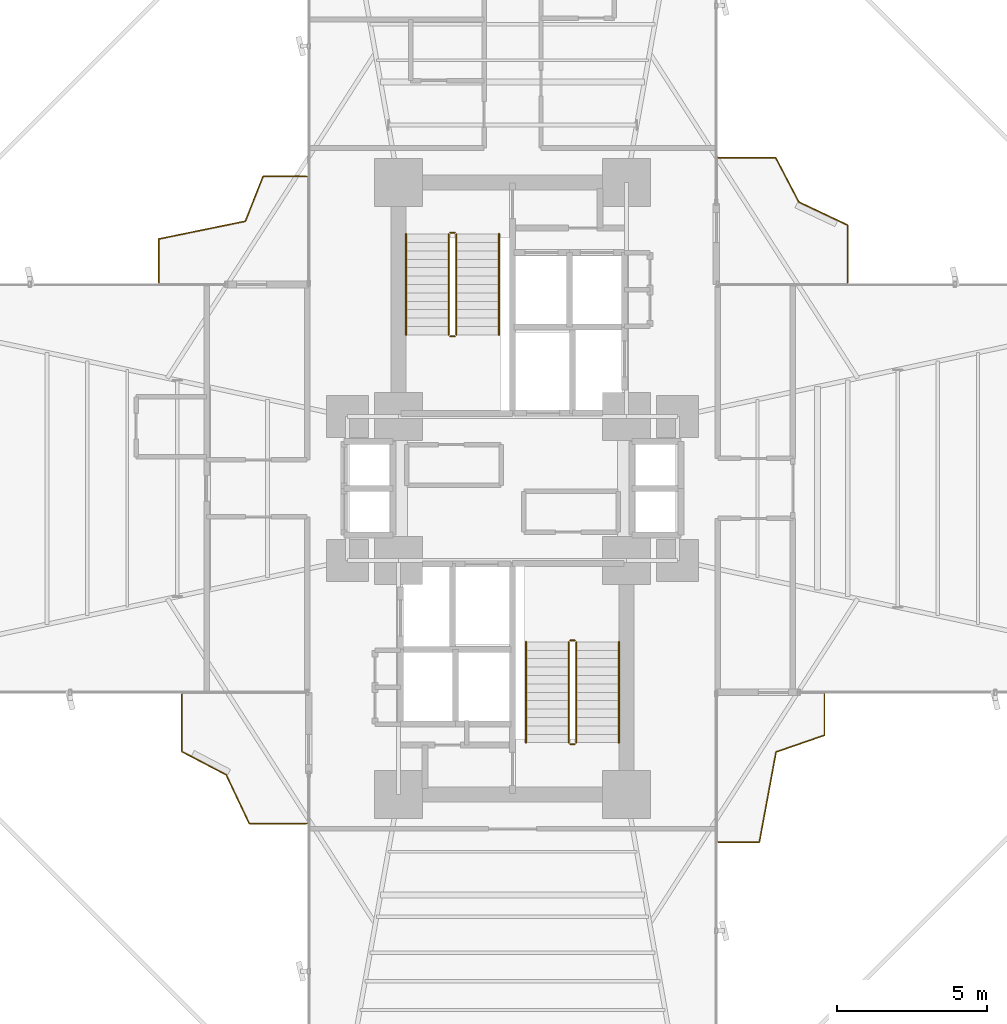
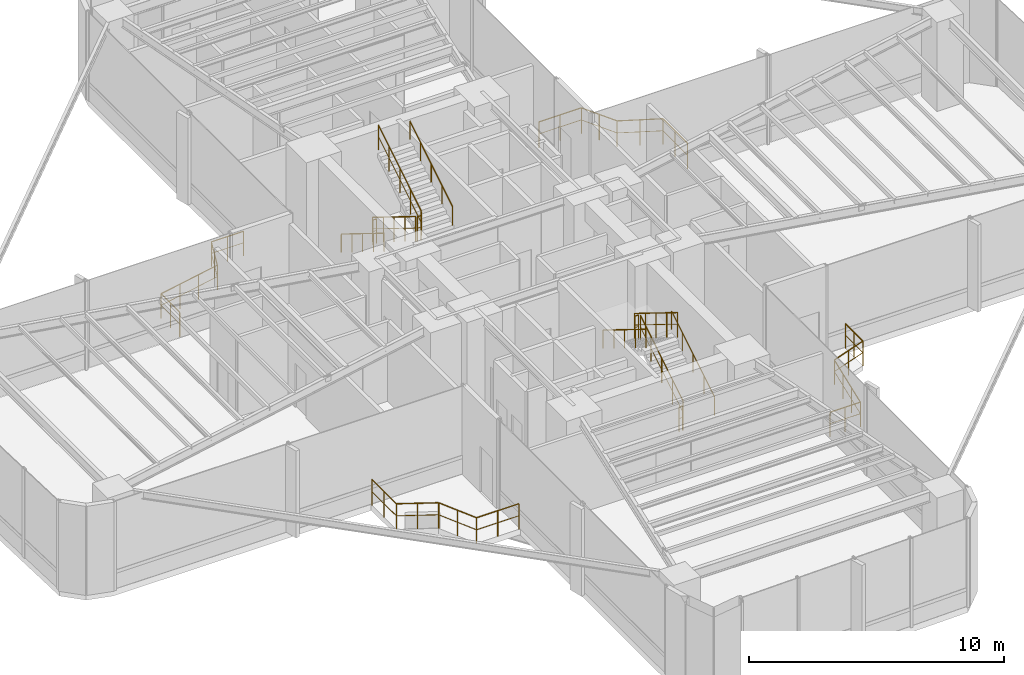
# One storey, part 20 of 20: 16 railings.
"""IFC4 building model written with IfcOpenShell, lengths in metres."""

import ifcopenshell
import ifcopenshell.guid

model = None  # the IFC model being written
_history = None  # IfcOwnerHistory: only IFC2X3 demands one
_inside = {}  # id of a spatial element -> (the spatial element, [elements in it])
_under = {}  # id of a project, library or spatial element -> (it, [spatial elements below it])
_declared = {}  # id of a project -> (the project, [libraries it declares])
_typed = {}  # id of a type object -> (the type object, [elements of that type])
_made_of = {}  # id of a material, layer set ... -> (it, [elements and type objects made of it])


def new_model(schema):
    """Start an empty IFC model of exactly this schema.

    Asked for "IFC4X3", IfcOpenShell would pick the latest addendum, in which some entities
    have other attributes; the version numbers below select the first issue.
    IFC2X3 requires an IfcOwnerHistory on every rooted entity: one is made here for all.
    """
    global model, _history
    if schema == "IFC4X3":
        model = ifcopenshell.file(schema_version=(4, 3, 0, 0))
    else:
        model = ifcopenshell.file(schema=schema)
    _inside.clear()
    _under.clear()
    _declared.clear()
    _typed.clear()
    _made_of.clear()
    _history = None
    if model.schema == "IFC2X3":
        org = make("IfcOrganization", Name="unknown")
        user = make(
            "IfcPersonAndOrganization",
            ThePerson=make("IfcPerson", FamilyName="unknown"),
            TheOrganization=org,
        )
        app = make(
            "IfcApplication",
            ApplicationDeveloper=org,
            Version="unknown",
            ApplicationFullName="unknown",
            ApplicationIdentifier="unknown",
        )
        _history = make(
            "IfcOwnerHistory",
            OwningUser=user,
            OwningApplication=app,
            ChangeAction="ADDED",
            CreationDate=0,
        )
    return model


def make(cls, **values):
    """One entity of the class cls with the attributes given. An attribute that is None is left unset."""
    return model.create_entity(
        cls, **{name: value for name, value in values.items() if value is not None}
    )


def rooted(cls, **values):
    """An entity with a GlobalId (a new one), such as an element, a storey or a relation."""
    return make(cls, GlobalId=ifcopenshell.guid.new(), OwnerHistory=_history, **values)


def si_unit(unit_type, name, prefix=None):
    """IfcSIUnit, for example si_unit("LENGTHUNIT", "METRE", prefix="MILLI")."""
    return make("IfcSIUnit", UnitType=unit_type, Prefix=prefix, Name=name)


def assignment(units):
    """IfcUnitAssignment: the units of a project."""
    return None if units is None else make("IfcUnitAssignment", Units=units)


def point(xyz):
    """IfcCartesianPoint."""
    return None if xyz is None else make("IfcCartesianPoint", Coordinates=xyz)


def direction(xyz):
    """IfcDirection."""
    return None if xyz is None else make("IfcDirection", DirectionRatios=xyz)


def frame(location, z_axis=None, x_axis=None):
    """IfcAxis2Placement3D, a coordinate frame: its origin and axes. An axis left out is left unset."""
    return make(
        "IfcAxis2Placement3D",
        Location=point(location),
        Axis=direction(z_axis),
        RefDirection=direction(x_axis),
    )


def frame_2d(location, x_axis=None):
    """IfcAxis2Placement2D, a coordinate frame in the plane: its origin and x axis."""
    return make(
        "IfcAxis2Placement2D", Location=point(location), RefDirection=direction(x_axis)
    )


def origin():
    """The frame at (0, 0, 0) with its axes left unset."""
    return frame((0.0, 0.0, 0.0))


def origin_2d():
    """The frame at (0, 0) in the plane with its x axis left unset."""
    return frame_2d((0.0, 0.0))


def place(relative_to, where):
    """IfcLocalPlacement: puts the frame where relative to a parent placement (None: the world)."""
    return make(
        "IfcLocalPlacement", PlacementRelTo=relative_to, RelativePlacement=where
    )


def context(
    kind, dimensions, precision=None, world=None, true_north=None, identifier=None
):
    """IfcGeometricRepresentationContext, for example the 3D "Model" context."""
    return make(
        "IfcGeometricRepresentationContext",
        ContextIdentifier=identifier,
        ContextType=kind,
        CoordinateSpaceDimension=dimensions,
        Precision=precision,
        WorldCoordinateSystem=world,
        TrueNorth=true_north,
    )


def subcontext(parent, identifier, kind, view, scale=None):
    """IfcGeometricRepresentationSubContext, for example "Body" below "Model"."""
    return make(
        "IfcGeometricRepresentationSubContext",
        ContextIdentifier=identifier,
        ContextType=kind,
        ParentContext=parent,
        TargetScale=scale,
        TargetView=view,
    )


def project(units=None, contexts=None):
    """IfcProject with its units and contexts."""
    return rooted(
        "IfcProject",
        Name="project",
        RepresentationContexts=contexts,
        UnitsInContext=assignment(units),
    )


def spatial(cls, under=None, at=None, **own):
    """A site, building, storey or space (cls), placed at a placement, below another one or the project."""
    s = rooted(cls, ObjectPlacement=at, **own)
    if under is not None:
        _under.setdefault(under.id(), (under, []))[1].append(s)
    return s


def profile(cls, at=None, kind="AREA", **sizes):
    """A parametric profile (cls). Its sizes go by their IFC names, for example OverallWidth=200.0."""
    return make(cls, ProfileType=kind, Position=at, **sizes)


def circle(**sizes):
    """IfcCircleProfileDef."""
    return profile("IfcCircleProfileDef", **sizes)


def extrude(swept, where, along, depth):
    """IfcExtrudedAreaSolid: the profile swept, set in the frame where, extruded along a direction by depth."""
    return make(
        "IfcExtrudedAreaSolid",
        SweptArea=swept,
        Position=where,
        ExtrudedDirection=direction(along),
        Depth=depth,
    )


def shape(context_of_items, identifier, shape_type, items):
    """IfcShapeRepresentation: the items that make up one representation, for example the "Body"."""
    return make(
        "IfcShapeRepresentation",
        ContextOfItems=context_of_items,
        RepresentationIdentifier=identifier,
        RepresentationType=shape_type,
        Items=items,
    )


def material(Name=None, Category=None):
    """IfcMaterial."""
    return make("IfcMaterial", Name=Name, Category=Category)


def made_of(thing, what):
    """Note that an element or type object is made of a material, layer set ...; save() writes the relation."""
    if what is not None:
        _made_of.setdefault(what.id(), (what, []))[1].append(thing)
    return thing


def type_object(cls, material=None, **own):
    """A type object (cls), such as IfcWallType, which elements share."""
    return made_of(rooted(cls, **own), material)


def element(
    cls,
    number,
    at=None,
    inside=None,
    cuts=None,
    type_object=None,
    material=None,
    context=None,
    identifier="Body",
    shape_type=None,
    held_by="IfcProductDefinitionShape",
    body=None,
    shapes=None,
    **own,
):
    """One element of the class cls, such as IfcWall. Its Tag is "e" and its number.

    at: its placement. inside: the storey or other place that contains it. cuts: it is an
    opening in that element (IfcRelVoidsElement). A single representation is given by context,
    identifier, shape_type and body (its items); several are given by shapes. held_by: the class
    of the entity that holds the representations. save() writes the other relations.
    """
    e = rooted(cls, Tag="e%d" % number, ObjectPlacement=at, **own)
    if body is not None:
        shapes = [shape(context, identifier, shape_type, body)]
    if shapes is not None:
        e.Representation = make(held_by, Representations=shapes)
    if inside is not None:
        _inside.setdefault(inside.id(), (inside, []))[1].append(e)
    if cuts is not None:
        rooted(
            "IfcRelVoidsElement", RelatingBuildingElement=cuts, RelatedOpeningElement=e
        )
    if type_object is not None:
        _typed.setdefault(type_object.id(), (type_object, []))[1].append(e)
    return made_of(e, material)


def aggregate(whole, parts):
    """IfcRelAggregates: a whole, such as a stair, and the parts it consists of."""
    return rooted("IfcRelAggregates", RelatingObject=whole, RelatedObjects=parts)


def save(model, path):
    """Write the relations noted so far, then the file.

    IfcRelAggregates (storeys below a building ...), IfcRelContainedInSpatialStructure (elements
    in a storey), IfcRelDefinesByType, IfcRelAssociatesMaterial and IfcRelDeclares: one each for
    every whole, place, type object, material and project.
    """
    for whole, parts in _under.values():
        aggregate(whole, parts)
    for where, things in _inside.values():
        rooted(
            "IfcRelContainedInSpatialStructure",
            RelatedElements=things,
            RelatingStructure=where,
        )
    for kind, things in _typed.values():
        rooted("IfcRelDefinesByType", RelatedObjects=things, RelatingType=kind)
    for what, things in _made_of.values():
        rooted("IfcRelAssociatesMaterial", RelatedObjects=things, RelatingMaterial=what)
    for by, libraries in _declared.values():
        rooted("IfcRelDeclares", RelatingContext=by, RelatedDefinitions=libraries)
    model.write(path)


model = new_model("IFC4")

# Units and contexts
model_context = context("Model", 3, precision=1e-05, world=origin(), true_north=direction((0.0, 1.0)))
body_context = subcontext(model_context, "Body", "Model", "MODEL_VIEW")
ifc_project = project(units=[si_unit("LENGTHUNIT", "METRE"), si_unit("AREAUNIT", "SQUARE_METRE"), si_unit("VOLUMEUNIT", "CUBIC_METRE"), si_unit("PLANEANGLEUNIT", "RADIAN"), si_unit("MASSUNIT", "GRAM", prefix="KILO")], contexts=[model_context])

# Site, building, storey
site_placement = place(None, origin())
site = spatial("IfcSite", under=ifc_project, at=site_placement, CompositionType="ELEMENT")
building_placement = place(site_placement, origin())
building = spatial("IfcBuilding", under=site, at=building_placement, Name="Sahyath Konkavel Grand Hotel", CompositionType="ELEMENT")
storey_placement = place(building_placement, frame((0.0, 0.0, 46.550048828125)))
storey = spatial("IfcBuildingStorey", under=building, at=storey_placement, Name="L12", CompositionType="ELEMENT", Elevation=46.550048828125)

# Railings
ifc_material_1 = material(Name="Anodised Bronze Aluminium", Category="aluminium")
railing_type_1 = type_object("IfcRailingType", Name="RLG-BALC-1200", PredefinedType="GUARDRAIL", material=ifc_material_1)
railing_1_placement = place(storey_placement, frame((-6.860107421875, 10.404052734375, 0.0)))
element("IfcRailing", 1, at=railing_1_placement, inside=storey, type_object=railing_type_1, Name="L12 Winter-Garden Guard NW", PredefinedType="GUARDRAIL", context=body_context, shape_type="SweptSolid", body=[
    extrude(circle(Radius=0.02392578125, at=origin_2d()), frame((-0.001953125, 0.0, 1.17578125), z_axis=(-1.0, 0.0, 0.0), x_axis=(0.0, -1.0, 0.0)), (0.0, 0.0, 1.0), 1.455078125),
    extrude(circle(Radius=0.01416015625, at=origin_2d()), frame((-0.001953125, 0.0, 0.6240234375), z_axis=(-1.0, 0.0, 0.0), x_axis=(0.0, -1.0, 0.0)), (0.0, 0.0, 1.0), 1.455078125),
    extrude(circle(Radius=0.02392578125, at=origin_2d()), frame((-1.459716796875, -0.001953125, 1.17578125), z_axis=(-0.367720009886, -0.929936553927, 0.0), x_axis=(0.929936553927, -0.367720009886, 0.0)), (0.0, 0.0, 1.0), 1.602783203125),
    extrude(circle(Radius=0.01416015625, at=origin_2d()), frame((-1.459716796875, -0.001953125, 0.6240234375), z_axis=(-0.367720009886, -0.929936553927, 0.0), x_axis=(0.929936553927, -0.367720009886, 0.0)), (0.0, 0.0, 1.0), 1.602783203125),
    extrude(circle(Radius=0.02392578125, at=origin_2d()), frame((-2.0517578125, -1.49462890625, 1.17578125), z_axis=(-0.979681266646, -0.200560753344, 0.0), x_axis=(0.200560753344, -0.979681266646, 0.0)), (0.0, 0.0, 1.0), 2.94189453125),
    extrude(circle(Radius=0.01416015625, at=origin_2d()), frame((-2.0517578125, -1.49462890625, 0.6240234375), z_axis=(-0.979681266646, -0.200560753344, 0.0), x_axis=(0.200560753344, -0.979681266646, 0.0)), (0.0, 0.0, 1.0), 2.94189453125),
    extrude(circle(Radius=0.02392578125, at=origin_2d()), frame((-4.935791015625, -2.0869140625, 1.17578125), z_axis=(0.0, -1.0, 0.0), x_axis=(1.0, 0.0, 0.0)), (0.0, 0.0, 1.0), 1.455078125),
    extrude(circle(Radius=0.01416015625, at=origin_2d()), frame((-4.935791015625, -2.0869140625, 0.6240234375), z_axis=(0.0, -1.0, 0.0), x_axis=(1.0, 0.0, 0.0)), (0.0, 0.0, 1.0), 1.455078125),
    extrude(circle(Radius=0.02099609375, at=origin_2d()), origin(), (0.0, 0.0, 1.0), 1.15185546875),
    extrude(circle(Radius=0.02099609375, at=origin_2d()), frame((-0.7294921875, 0.0, 0.0)), (0.0, 0.0, 1.0), 1.15185546875),
    extrude(circle(Radius=0.02099609375, at=origin_2d()), frame((-1.458984375, 0.0, 0.0)), (0.0, 0.0, 1.0), 1.15185546875),
    extrude(circle(Radius=0.02099609375, at=origin_2d()), frame((-1.75439453125, -0.7470703125, 0.0)), (0.0, 0.0, 1.0), 1.15185546875),
    extrude(circle(Radius=0.02099609375, at=origin_2d()), frame((-2.0498046875, -1.494140625, 0.0)), (0.0, 0.0, 1.0), 1.15185546875),
    extrude(circle(Radius=0.02099609375, at=origin_2d()), frame((-3.01171875, -1.691162109375, 0.0)), (0.0, 0.0, 1.0), 1.15185546875),
    extrude(circle(Radius=0.02099609375, at=origin_2d()), frame((-3.973876953125, -1.887939453125, 0.0)), (0.0, 0.0, 1.0), 1.15185546875),
    extrude(circle(Radius=0.02099609375, at=origin_2d()), frame((-4.935791015625, -2.0849609375, 0.0)), (0.0, 0.0, 1.0), 1.15185546875),
    extrude(circle(Radius=0.02099609375, at=origin_2d()), frame((-4.935791015625, -2.814453125, 0.0)), (0.0, 0.0, 1.0), 1.15185546875),
    extrude(circle(Radius=0.02099609375, at=origin_2d()), frame((-4.935791015625, -3.5439453125, 0.0)), (0.0, 0.0, 1.0), 1.15185546875),
])
railing_2_placement = place(storey_placement, frame((6.860107421875, -11.7958984375, 0.0)))
element("IfcRailing", 2, at=railing_2_placement, inside=storey, type_object=railing_type_1, Name="L12 Winter-Garden Guard SE", PredefinedType="GUARDRAIL", context=body_context, shape_type="SweptSolid", body=[
    extrude(circle(Radius=0.02392578125, at=origin_2d()), frame((0.001953125, 0.0, 1.17578125), z_axis=(1.0, 0.0, 0.0), x_axis=(0.0, 1.0, 0.0)), (0.0, 0.0, 1.0), 1.368896484375),
    extrude(circle(Radius=0.01416015625, at=origin_2d()), frame((0.001953125, 0.0, 0.6240234375), z_axis=(1.0, 0.0, 0.0), x_axis=(0.0, 1.0, 0.0)), (0.0, 0.0, 1.0), 1.368896484375),
    extrude(circle(Radius=0.02392578125, at=origin_2d()), frame((1.373046875, 0.001953125, 1.17578125), z_axis=(0.182243684862, 0.983253395279, 0.0), x_axis=(-0.983253395279, 0.182243684862, 0.0)), (0.0, 0.0, 1.0), 3.052978515625),
    extrude(circle(Radius=0.01416015625, at=origin_2d()), frame((1.373046875, 0.001953125, 0.6240234375), z_axis=(0.182243684862, 0.983253395279, 0.0), x_axis=(-0.983253395279, 0.182243684862, 0.0)), (0.0, 0.0, 1.0), 3.052978515625),
    extrude(circle(Radius=0.02392578125, at=origin_2d()), frame((1.931884765625, 3.006591796875, 1.17578125), z_axis=(0.945269608565, 0.326290311109, 0.0), x_axis=(-0.326290311109, 0.945269608565, 0.0)), (0.0, 0.0, 1.0), 1.703369140625),
    extrude(circle(Radius=0.01416015625, at=origin_2d()), frame((1.931884765625, 3.006591796875, 0.6240234375), z_axis=(0.945269608565, 0.326290311109, 0.0), x_axis=(-0.326290311109, 0.945269608565, 0.0)), (0.0, 0.0, 1.0), 1.703369140625),
    extrude(circle(Radius=0.02392578125, at=origin_2d()), frame((3.5439453125, 3.56494140625, 1.17578125), z_axis=(0.0, 1.0, 0.0), x_axis=(-1.0, 0.0, 0.0)), (0.0, 0.0, 1.0), 1.368896484375),
    extrude(circle(Radius=0.01416015625, at=origin_2d()), frame((3.5439453125, 3.56494140625, 0.6240234375), z_axis=(0.0, 1.0, 0.0), x_axis=(-1.0, 0.0, 0.0)), (0.0, 0.0, 1.0), 1.368896484375),
    extrude(circle(Radius=0.02099609375, at=origin_2d()), origin(), (0.0, 0.0, 1.0), 1.15185546875),
    extrude(circle(Radius=0.02099609375, at=origin_2d()), frame((0.6865234375, 0.0, 0.0)), (0.0, 0.0, 1.0), 1.15185546875),
    extrude(circle(Radius=0.02099609375, at=origin_2d()), frame((1.372802734375, 0.0, 0.0)), (0.0, 0.0, 1.0), 1.15185546875),
    extrude(circle(Radius=0.02099609375, at=origin_2d()), frame((1.55859375, 1.001953125, 0.0)), (0.0, 0.0, 1.0), 1.15185546875),
    extrude(circle(Radius=0.02099609375, at=origin_2d()), frame((1.744140625, 2.00390625, 0.0)), (0.0, 0.0, 1.0), 1.15185546875),
    extrude(circle(Radius=0.02099609375, at=origin_2d()), frame((1.929931640625, 3.005859375, 0.0)), (0.0, 0.0, 1.0), 1.15185546875),
    extrude(circle(Radius=0.02099609375, at=origin_2d()), frame((2.73681640625, 3.284423828125, 0.0)), (0.0, 0.0, 1.0), 1.15185546875),
    extrude(circle(Radius=0.02099609375, at=origin_2d()), frame((3.5439453125, 3.56298828125, 0.0)), (0.0, 0.0, 1.0), 1.15185546875),
    extrude(circle(Radius=0.02099609375, at=origin_2d()), frame((3.5439453125, 4.24951171875, 0.0)), (0.0, 0.0, 1.0), 1.15185546875),
    extrude(circle(Radius=0.02099609375, at=origin_2d()), frame((3.5439453125, 4.935791015625, 0.0)), (0.0, 0.0, 1.0), 1.15185546875),
])
ifc_material_2 = material(Name="Steel E350", Category="steel")
railing_type_2 = type_object("IfcRailingType", Name="RLG-STAIR-GRD", PredefinedType="GUARDRAIL", material=ifc_material_2)
railing_3_placement = place(storey_placement, frame((-2.1298828125, 8.47998046875, 0.173095703125)))
element("IfcRailing", 3, at=railing_3_placement, inside=storey, type_object=railing_type_2, Name="L12 ST-1 stair guard 1", PredefinedType="GUARDRAIL", context=body_context, shape_type="SweptSolid", body=[
    extrude(circle(Radius=0.02392578125, at=origin_2d()), frame((0.0, -0.001708984375, 1.177001953125), z_axis=(0.0, -0.850606129759, 0.525803396734), x_axis=(1.0, 0.0, 0.0)), (0.0, 0.0, 1.0), 3.946044921875),
    extrude(circle(Radius=0.01416015625, at=origin_2d()), frame((0.0, -0.001708984375, 0.625), z_axis=(0.0, -0.850606129759, 0.525803396734), x_axis=(1.0, 0.0, 0.0)), (0.0, 0.0, 1.0), 3.946044921875),
    extrude(circle(Radius=0.02099609375, at=origin_2d()), origin(), (0.0, 0.0, 1.0), 1.15185546875),
    extrude(circle(Radius=0.02099609375, at=origin_2d()), frame((0.0, -0.83984375, 0.519287109375)), (0.0, 0.0, 1.0), 1.15185546875),
    extrude(circle(Radius=0.02099609375, at=origin_2d()), frame((0.0, -1.679931640625, 1.03857421875)), (0.0, 0.0, 1.0), 1.15185546875),
    extrude(circle(Radius=0.02099609375, at=origin_2d()), frame((0.0, -2.52001953125, 1.5576171875)), (0.0, 0.0, 1.0), 1.15185546875),
    extrude(circle(Radius=0.02099609375, at=origin_2d()), frame((0.0, -3.35986328125, 2.076904296875)), (0.0, 0.0, 1.0), 1.15185546875),
])
railing_4_placement = place(storey_placement, frame((-2.080078125, 5.070068359375, 2.25)))
element("IfcRailing", 4, at=railing_4_placement, inside=storey, type_object=railing_type_2, Name="L12 ST-1 stair guard 2", PredefinedType="GUARDRAIL", context=body_context, shape_type="SweptSolid", body=[
    extrude(circle(Radius=0.02392578125, at=origin_2d()), frame((0.001953125, 0.0, 1.17578125), z_axis=(1.0, 0.0, 0.0), x_axis=(0.0, 1.0, 0.0)), (0.0, 0.0, 1.0), 0.15625),
    extrude(circle(Radius=0.01416015625, at=origin_2d()), frame((0.001953125, 0.0, 0.6240234375), z_axis=(1.0, 0.0, 0.0), x_axis=(0.0, 1.0, 0.0)), (0.0, 0.0, 1.0), 0.15625),
    extrude(circle(Radius=0.02099609375, at=origin_2d()), origin(), (0.0, 0.0, 1.0), 1.15185546875),
    extrude(circle(Radius=0.02099609375, at=origin_2d()), frame((0.16015625, 0.0, 0.0)), (0.0, 0.0, 1.0), 1.15185546875),
])
railing_5_placement = place(storey_placement, frame((-1.8701171875, 5.1201171875, 2.423095703125)))
element("IfcRailing", 5, at=railing_5_placement, inside=storey, type_object=railing_type_2, Name="L12 ST-1 stair guard 3", PredefinedType="GUARDRAIL", context=body_context, shape_type="SweptSolid", body=[
    extrude(circle(Radius=0.02392578125, at=origin_2d()), frame((0.0, 0.001708984375, 1.177001953125), z_axis=(0.0, 0.850606129759, 0.525803396734), x_axis=(-1.0, 0.0, 0.0)), (0.0, 0.0, 1.0), 3.946044921875),
    extrude(circle(Radius=0.01416015625, at=origin_2d()), frame((0.0, 0.001708984375, 0.625), z_axis=(0.0, 0.850606129759, 0.525803396734), x_axis=(-1.0, 0.0, 0.0)), (0.0, 0.0, 1.0), 3.946044921875),
    extrude(circle(Radius=0.02099609375, at=origin_2d()), origin(), (0.0, 0.0, 1.0), 1.15185546875),
    extrude(circle(Radius=0.02099609375, at=origin_2d()), frame((0.0, 0.83984375, 0.519287109375)), (0.0, 0.0, 1.0), 1.15185546875),
    extrude(circle(Radius=0.02099609375, at=origin_2d()), frame((0.0, 1.679931640625, 1.03857421875)), (0.0, 0.0, 1.0), 1.15185546875),
    extrude(circle(Radius=0.02099609375, at=origin_2d()), frame((0.0, 2.52001953125, 1.5576171875)), (0.0, 0.0, 1.0), 1.15185546875),
    extrude(circle(Radius=0.02099609375, at=origin_2d()), frame((0.0, 3.35986328125, 2.076904296875)), (0.0, 0.0, 1.0), 1.15185546875),
])
railing_6_placement = place(storey_placement, frame((-2.080078125, 8.530029296875, 0.0)))
element("IfcRailing", 6, at=railing_6_placement, inside=storey, type_object=railing_type_2, Name="L12 ST-1 stair guard 4", PredefinedType="GUARDRAIL", context=body_context, shape_type="SweptSolid", body=[
    extrude(circle(Radius=0.02392578125, at=origin_2d()), frame((0.001953125, 0.0, 1.17578125), z_axis=(1.0, 0.0, 0.0), x_axis=(0.0, 1.0, 0.0)), (0.0, 0.0, 1.0), 0.15625),
    extrude(circle(Radius=0.01416015625, at=origin_2d()), frame((0.001953125, 0.0, 0.6240234375), z_axis=(1.0, 0.0, 0.0), x_axis=(0.0, 1.0, 0.0)), (0.0, 0.0, 1.0), 0.15625),
    extrude(circle(Radius=0.02099609375, at=origin_2d()), origin(), (0.0, 0.0, 1.0), 1.15185546875),
    extrude(circle(Radius=0.02099609375, at=origin_2d()), frame((0.16015625, 0.0, 0.0)), (0.0, 0.0, 1.0), 1.15185546875),
])
railing_7_placement = place(storey_placement, frame((2.1298828125, -8.47998046875, 0.173095703125)))
element("IfcRailing", 7, at=railing_7_placement, inside=storey, type_object=railing_type_2, Name="L12 ST-2 stair guard 1", PredefinedType="GUARDRAIL", context=body_context, shape_type="SweptSolid", body=[
    extrude(circle(Radius=0.02392578125, at=origin_2d()), frame((0.0, 0.001708984375, 1.177001953125), z_axis=(0.0, 0.850606129759, 0.525803396734), x_axis=(-1.0, 0.0, 0.0)), (0.0, 0.0, 1.0), 3.946044921875),
    extrude(circle(Radius=0.01416015625, at=origin_2d()), frame((0.0, 0.001708984375, 0.625), z_axis=(0.0, 0.850606129759, 0.525803396734), x_axis=(-1.0, 0.0, 0.0)), (0.0, 0.0, 1.0), 3.946044921875),
    extrude(circle(Radius=0.02099609375, at=origin_2d()), origin(), (0.0, 0.0, 1.0), 1.15185546875),
    extrude(circle(Radius=0.02099609375, at=origin_2d()), frame((0.0, 0.83984375, 0.519287109375)), (0.0, 0.0, 1.0), 1.15185546875),
    extrude(circle(Radius=0.02099609375, at=origin_2d()), frame((0.0, 1.679931640625, 1.03857421875)), (0.0, 0.0, 1.0), 1.15185546875),
    extrude(circle(Radius=0.02099609375, at=origin_2d()), frame((0.0, 2.52001953125, 1.5576171875)), (0.0, 0.0, 1.0), 1.15185546875),
    extrude(circle(Radius=0.02099609375, at=origin_2d()), frame((0.0, 3.35986328125, 2.076904296875)), (0.0, 0.0, 1.0), 1.15185546875),
])
railing_8_placement = place(storey_placement, frame((2.080078125, -5.070068359375, 2.25)))
element("IfcRailing", 8, at=railing_8_placement, inside=storey, type_object=railing_type_2, Name="L12 ST-2 stair guard 2", PredefinedType="GUARDRAIL", context=body_context, shape_type="SweptSolid", body=[
    extrude(circle(Radius=0.02392578125, at=origin_2d()), frame((-0.001953125, 0.0, 1.17578125), z_axis=(-1.0, 0.0, 0.0), x_axis=(0.0, -1.0, 0.0)), (0.0, 0.0, 1.0), 0.15625),
    extrude(circle(Radius=0.01416015625, at=origin_2d()), frame((-0.001953125, 0.0, 0.6240234375), z_axis=(-1.0, 0.0, 0.0), x_axis=(0.0, -1.0, 0.0)), (0.0, 0.0, 1.0), 0.15625),
    extrude(circle(Radius=0.02099609375, at=origin_2d()), origin(), (0.0, 0.0, 1.0), 1.15185546875),
    extrude(circle(Radius=0.02099609375, at=origin_2d()), frame((-0.16015625, 0.0, 0.0)), (0.0, 0.0, 1.0), 1.15185546875),
])
railing_9_placement = place(storey_placement, frame((1.8701171875, -5.1201171875, 2.423095703125)))
element("IfcRailing", 9, at=railing_9_placement, inside=storey, type_object=railing_type_2, Name="L12 ST-2 stair guard 3", PredefinedType="GUARDRAIL", context=body_context, shape_type="SweptSolid", body=[
    extrude(circle(Radius=0.02392578125, at=origin_2d()), frame((0.0, -0.001708984375, 1.177001953125), z_axis=(0.0, -0.850606129759, 0.525803396734), x_axis=(1.0, 0.0, 0.0)), (0.0, 0.0, 1.0), 3.946044921875),
    extrude(circle(Radius=0.01416015625, at=origin_2d()), frame((0.0, -0.001708984375, 0.625), z_axis=(0.0, -0.850606129759, 0.525803396734), x_axis=(1.0, 0.0, 0.0)), (0.0, 0.0, 1.0), 3.946044921875),
    extrude(circle(Radius=0.02099609375, at=origin_2d()), origin(), (0.0, 0.0, 1.0), 1.15185546875),
    extrude(circle(Radius=0.02099609375, at=origin_2d()), frame((0.0, -0.83984375, 0.519287109375)), (0.0, 0.0, 1.0), 1.15185546875),
    extrude(circle(Radius=0.02099609375, at=origin_2d()), frame((0.0, -1.679931640625, 1.03857421875)), (0.0, 0.0, 1.0), 1.15185546875),
    extrude(circle(Radius=0.02099609375, at=origin_2d()), frame((0.0, -2.52001953125, 1.5576171875)), (0.0, 0.0, 1.0), 1.15185546875),
    extrude(circle(Radius=0.02099609375, at=origin_2d()), frame((0.0, -3.35986328125, 2.076904296875)), (0.0, 0.0, 1.0), 1.15185546875),
])
railing_10_placement = place(storey_placement, frame((2.080078125, -8.530029296875, 0.0)))
element("IfcRailing", 10, at=railing_10_placement, inside=storey, type_object=railing_type_2, Name="L12 ST-2 stair guard 4", PredefinedType="GUARDRAIL", context=body_context, shape_type="SweptSolid", body=[
    extrude(circle(Radius=0.02392578125, at=origin_2d()), frame((-0.001953125, 0.0, 1.17578125), z_axis=(-1.0, 0.0, 0.0), x_axis=(0.0, -1.0, 0.0)), (0.0, 0.0, 1.0), 0.15625),
    extrude(circle(Radius=0.01416015625, at=origin_2d()), frame((-0.001953125, 0.0, 0.6240234375), z_axis=(-1.0, 0.0, 0.0), x_axis=(0.0, -1.0, 0.0)), (0.0, 0.0, 1.0), 0.15625),
    extrude(circle(Radius=0.02099609375, at=origin_2d()), origin(), (0.0, 0.0, 1.0), 1.15185546875),
    extrude(circle(Radius=0.02099609375, at=origin_2d()), frame((-0.16015625, 0.0, 0.0)), (0.0, 0.0, 1.0), 1.15185546875),
])
railing_type_3 = type_object("IfcRailingType", Name="RLG-STAIR-HND", PredefinedType="HANDRAIL", material=ifc_material_1)
railing_11_placement = place(storey_placement, frame((-3.550048828125, 8.47998046875, 0.173095703125)))
element("IfcRailing", 11, at=railing_11_placement, inside=storey, type_object=railing_type_3, Name="L12 ST-1 stair handrail 1", PredefinedType="HANDRAIL", context=body_context, shape_type="SweptSolid", body=[
    extrude(circle(Radius=0.02392578125, at=origin_2d()), frame((0.0, -0.001708984375, 0.876953125), z_axis=(0.0, -0.850606129759, 0.525803396734), x_axis=(1.0, 0.0, 0.0)), (0.0, 0.0, 1.0), 3.946044921875),
    extrude(circle(Radius=0.02099609375, at=origin_2d()), origin(), (0.0, 0.0, 1.0), 0.851806640625),
    extrude(circle(Radius=0.02099609375, at=origin_2d()), frame((0.0, -0.83984375, 0.519287109375)), (0.0, 0.0, 1.0), 0.851806640625),
    extrude(circle(Radius=0.02099609375, at=origin_2d()), frame((0.0, -1.679931640625, 1.03857421875)), (0.0, 0.0, 1.0), 0.851806640625),
    extrude(circle(Radius=0.02099609375, at=origin_2d()), frame((0.0, -2.52001953125, 1.5576171875)), (0.0, 0.0, 1.0), 0.851806640625),
    extrude(circle(Radius=0.02099609375, at=origin_2d()), frame((0.0, -3.35986328125, 2.076904296875)), (0.0, 0.0, 1.0), 0.851806640625),
])
for number, where, name in (
    (12, (-0.449951171875, 5.1201171875, 2.423095703125), "L12 ST-1 stair handrail 2"),
    (13, (3.550048828125, -8.47998046875, 0.173095703125), "L12 ST-2 stair handrail 1"),
):
    element("IfcRailing", number, at=place(storey_placement, frame(where)), inside=storey, type_object=railing_type_3, Name=name, PredefinedType="HANDRAIL", context=body_context, shape_type="SweptSolid", body=[
        extrude(circle(Radius=0.02392578125, at=origin_2d()), frame((0.0, 0.001708984375, 0.876953125), z_axis=(0.0, 0.850606129759, 0.525803396734), x_axis=(-1.0, 0.0, 0.0)), (0.0, 0.0, 1.0), 3.946044921875),
        extrude(circle(Radius=0.02099609375, at=origin_2d()), origin(), (0.0, 0.0, 1.0), 0.851806640625),
        extrude(circle(Radius=0.02099609375, at=origin_2d()), frame((0.0, 0.83984375, 0.519287109375)), (0.0, 0.0, 1.0), 0.851806640625),
        extrude(circle(Radius=0.02099609375, at=origin_2d()), frame((0.0, 1.679931640625, 1.03857421875)), (0.0, 0.0, 1.0), 0.851806640625),
        extrude(circle(Radius=0.02099609375, at=origin_2d()), frame((0.0, 2.52001953125, 1.5576171875)), (0.0, 0.0, 1.0), 0.851806640625),
        extrude(circle(Radius=0.02099609375, at=origin_2d()), frame((0.0, 3.35986328125, 2.076904296875)), (0.0, 0.0, 1.0), 0.851806640625),
    ])
railing_12_placement = place(storey_placement, frame((0.449951171875, -5.1201171875, 2.423095703125)))
element("IfcRailing", 14, at=railing_12_placement, inside=storey, type_object=railing_type_3, Name="L12 ST-2 stair handrail 2", PredefinedType="HANDRAIL", context=body_context, shape_type="SweptSolid", body=[
    extrude(circle(Radius=0.02392578125, at=origin_2d()), frame((0.0, -0.001708984375, 0.876953125), z_axis=(0.0, -0.850606129759, 0.525803396734), x_axis=(1.0, 0.0, 0.0)), (0.0, 0.0, 1.0), 3.946044921875),
    extrude(circle(Radius=0.02099609375, at=origin_2d()), origin(), (0.0, 0.0, 1.0), 0.851806640625),
    extrude(circle(Radius=0.02099609375, at=origin_2d()), frame((0.0, -0.83984375, 0.519287109375)), (0.0, 0.0, 1.0), 0.851806640625),
    extrude(circle(Radius=0.02099609375, at=origin_2d()), frame((0.0, -1.679931640625, 1.03857421875)), (0.0, 0.0, 1.0), 0.851806640625),
    extrude(circle(Radius=0.02099609375, at=origin_2d()), frame((0.0, -2.52001953125, 1.5576171875)), (0.0, 0.0, 1.0), 0.851806640625),
    extrude(circle(Radius=0.02099609375, at=origin_2d()), frame((0.0, -3.35986328125, 2.076904296875)), (0.0, 0.0, 1.0), 0.851806640625),
])
ifc_material_3 = material(Name="Warm Buff Sandstone & Bronze Balustrade", Category="masonry")
railing_type_4 = type_object("IfcRailingType", Name="RLG-TERR-1250", PredefinedType="BALUSTRADE", material=ifc_material_3)
railing_13_placement = place(storey_placement, frame((11.177001953125, 6.860107421875, 0.0)))
element("IfcRailing", 15, at=railing_13_placement, inside=storey, type_object=railing_type_4, Name="L12 Sky-Garden Balustrade NE", PredefinedType="BALUSTRADE", context=body_context, shape_type="SweptSolid", body=[
    extrude(circle(Radius=0.02392578125, at=origin_2d()), frame((0.0, 0.001953125, 1.22607421875), z_axis=(0.0, 1.0, 0.0), x_axis=(-1.0, 0.0, 0.0)), (0.0, 0.0, 1.0), 1.916015625),
    extrude(circle(Radius=0.01416015625, at=origin_2d()), frame((0.0, 0.001953125, 0.64990234375), z_axis=(0.0, 1.0, 0.0), x_axis=(-1.0, 0.0, 0.0)), (0.0, 0.0, 1.0), 1.916015625),
    extrude(circle(Radius=0.02392578125, at=origin_2d()), frame((-0.001708984375, 1.9208984375, 1.22607421875), z_axis=(-0.903875882454, 0.427794797908, 0.0), x_axis=(-0.427794797908, -0.903875882454, 0.0)), (0.0, 0.0, 1.0), 1.7958984375),
    extrude(circle(Radius=0.01416015625, at=origin_2d()), frame((-0.001708984375, 1.9208984375, 0.64990234375), z_axis=(-0.903875882454, 0.427794797908, 0.0), x_axis=(-0.427794797908, -0.903875882454, 0.0)), (0.0, 0.0, 1.0), 1.7958984375),
    extrude(circle(Radius=0.02392578125, at=origin_2d()), frame((-1.6279296875, 2.691650390625, 1.22607421875), z_axis=(-0.463298783018, 0.886202142659, 0.0), x_axis=(-0.886202142659, -0.463298783018, 0.0)), (0.0, 0.0, 1.0), 1.657958984375),
    extrude(circle(Radius=0.01416015625, at=origin_2d()), frame((-1.6279296875, 2.691650390625, 0.64990234375), z_axis=(-0.463298783018, 0.886202142659, 0.0), x_axis=(-0.886202142659, -0.463298783018, 0.0)), (0.0, 0.0, 1.0), 1.657958984375),
    extrude(circle(Radius=0.02392578125, at=origin_2d()), frame((-2.39892578125, 4.162841796875, 1.22607421875), z_axis=(-1.0, 0.0, 0.0), x_axis=(0.0, -1.0, 0.0)), (0.0, 0.0, 1.0), 1.916015625),
    extrude(circle(Radius=0.01416015625, at=origin_2d()), frame((-2.39892578125, 4.162841796875, 0.64990234375), z_axis=(-1.0, 0.0, 0.0), x_axis=(0.0, -1.0, 0.0)), (0.0, 0.0, 1.0), 1.916015625),
    extrude(circle(Radius=0.02099609375, at=origin_2d()), origin(), (0.0, 0.0, 1.0), 1.201904296875),
    extrude(circle(Radius=0.02099609375, at=origin_2d()), frame((0.0, 0.9599609375, 0.0)), (0.0, 0.0, 1.0), 1.201904296875),
    extrude(circle(Radius=0.02099609375, at=origin_2d()), frame((0.0, 1.919921875, 0.0)), (0.0, 0.0, 1.0), 1.201904296875),
    extrude(circle(Radius=0.02099609375, at=origin_2d()), frame((-0.8134765625, 2.304931640625, 0.0)), (0.0, 0.0, 1.0), 1.201904296875),
    extrude(circle(Radius=0.02099609375, at=origin_2d()), frame((-1.626953125, 2.68994140625, 0.0)), (0.0, 0.0, 1.0), 1.201904296875),
    extrude(circle(Radius=0.02099609375, at=origin_2d()), frame((-2.011962890625, 3.42626953125, 0.0)), (0.0, 0.0, 1.0), 1.201904296875),
    extrude(circle(Radius=0.02099609375, at=origin_2d()), frame((-2.39697265625, 4.162841796875, 0.0)), (0.0, 0.0, 1.0), 1.201904296875),
    extrude(circle(Radius=0.02099609375, at=origin_2d()), frame((-3.35693359375, 4.162841796875, 0.0)), (0.0, 0.0, 1.0), 1.201904296875),
    extrude(circle(Radius=0.02099609375, at=origin_2d()), frame((-4.31689453125, 4.162841796875, 0.0)), (0.0, 0.0, 1.0), 1.201904296875),
])
railing_14_placement = place(storey_placement, frame((-11.02294921875, -6.860107421875, 0.0)))
element("IfcRailing", 16, at=railing_14_placement, inside=storey, type_object=railing_type_4, Name="L12 Sky-Garden Balustrade SW", PredefinedType="BALUSTRADE", context=body_context, shape_type="SweptSolid", body=[
    extrude(circle(Radius=0.02392578125, at=origin_2d()), frame((0.0, -0.001953125, 1.22607421875), z_axis=(0.0, -1.0, 0.0), x_axis=(1.0, 0.0, 0.0)), (0.0, 0.0, 1.0), 1.916015625),
    extrude(circle(Radius=0.01416015625, at=origin_2d()), frame((0.0, -0.001953125, 0.64990234375), z_axis=(0.0, -1.0, 0.0), x_axis=(1.0, 0.0, 0.0)), (0.0, 0.0, 1.0), 1.916015625),
    extrude(circle(Radius=0.02392578125, at=origin_2d()), frame((0.001708984375, -1.9208984375, 1.22607421875), z_axis=(0.886202142659, -0.463298783018, 0.0), x_axis=(0.463298783018, 0.886202142659, 0.0)), (0.0, 0.0, 1.0), 1.657958984375),
    extrude(circle(Radius=0.01416015625, at=origin_2d()), frame((0.001708984375, -1.9208984375, 0.64990234375), z_axis=(0.886202142659, -0.463298783018, 0.0), x_axis=(0.463298783018, 0.886202142659, 0.0)), (0.0, 0.0, 1.0), 1.657958984375),
    extrude(circle(Radius=0.02392578125, at=origin_2d()), frame((1.473876953125, -2.691650390625, 1.22607421875), z_axis=(0.427794797908, -0.903875882454, 0.0), x_axis=(0.903875882454, 0.427794797908, 0.0)), (0.0, 0.0, 1.0), 1.7958984375),
    extrude(circle(Radius=0.01416015625, at=origin_2d()), frame((1.473876953125, -2.691650390625, 0.64990234375), z_axis=(0.427794797908, -0.903875882454, 0.0), x_axis=(0.903875882454, 0.427794797908, 0.0)), (0.0, 0.0, 1.0), 1.7958984375),
    extrude(circle(Radius=0.02392578125, at=origin_2d()), frame((2.244873046875, -4.31689453125, 1.22607421875), z_axis=(1.0, 0.0, 0.0), x_axis=(0.0, 1.0, 0.0)), (0.0, 0.0, 1.0), 1.916015625),
    extrude(circle(Radius=0.01416015625, at=origin_2d()), frame((2.244873046875, -4.31689453125, 0.64990234375), z_axis=(1.0, 0.0, 0.0), x_axis=(0.0, 1.0, 0.0)), (0.0, 0.0, 1.0), 1.916015625),
    extrude(circle(Radius=0.02099609375, at=origin_2d()), origin(), (0.0, 0.0, 1.0), 1.201904296875),
    extrude(circle(Radius=0.02099609375, at=origin_2d()), frame((0.0, -0.9599609375, 0.0)), (0.0, 0.0, 1.0), 1.201904296875),
    extrude(circle(Radius=0.02099609375, at=origin_2d()), frame((0.0, -1.919921875, 0.0)), (0.0, 0.0, 1.0), 1.201904296875),
    extrude(circle(Radius=0.02099609375, at=origin_2d()), frame((0.736328125, -2.304931640625, 0.0)), (0.0, 0.0, 1.0), 1.201904296875),
    extrude(circle(Radius=0.02099609375, at=origin_2d()), frame((1.472900390625, -2.68994140625, 0.0)), (0.0, 0.0, 1.0), 1.201904296875),
    extrude(circle(Radius=0.02099609375, at=origin_2d()), frame((1.85791015625, -3.50341796875, 0.0)), (0.0, 0.0, 1.0), 1.201904296875),
    extrude(circle(Radius=0.02099609375, at=origin_2d()), frame((2.242919921875, -4.31689453125, 0.0)), (0.0, 0.0, 1.0), 1.201904296875),
    extrude(circle(Radius=0.02099609375, at=origin_2d()), frame((3.202880859375, -4.31689453125, 0.0)), (0.0, 0.0, 1.0), 1.201904296875),
    extrude(circle(Radius=0.02099609375, at=origin_2d()), frame((4.162841796875, -4.31689453125, 0.0)), (0.0, 0.0, 1.0), 1.201904296875),
])

save(model, "model.ifc")
